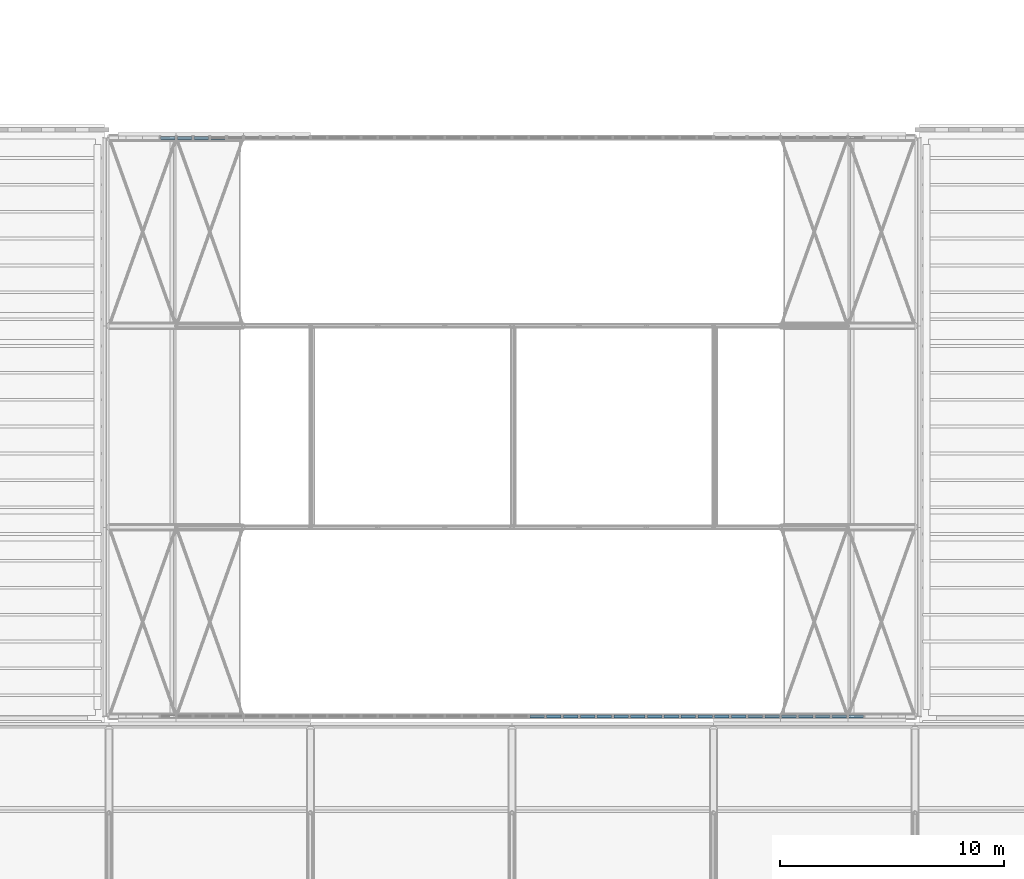
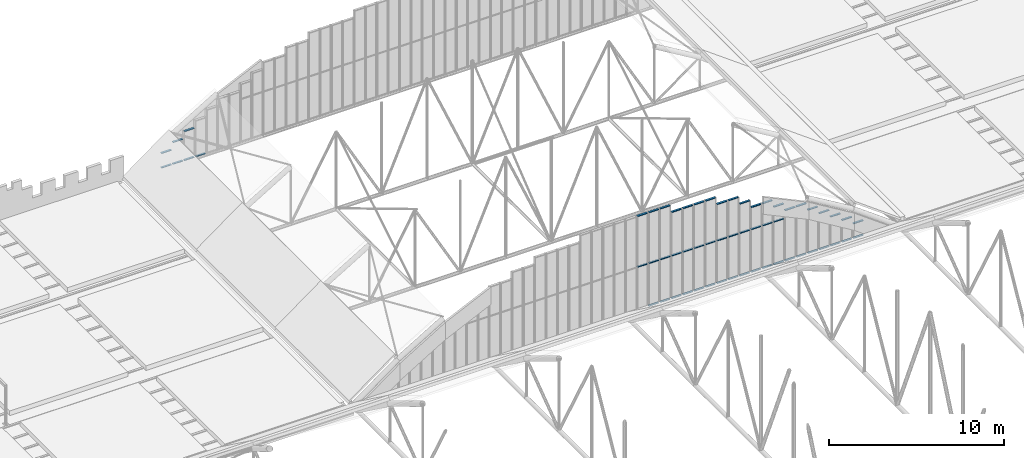
# One storey, part 89 of 153: 59 members, 24 elements without a shape of their own.
"""IFC4 building model written with IfcOpenShell, lengths in metres."""

from ifc_helpers import new_model, si_unit, direction, frame, origin, origin_2d, place, context, subcontext, project, spatial, rectangle, extrude, material, material_profile, profile_set, type_object, element, aggregate, save


model = new_model("IFC4")

# Units and contexts
model_context = context("Model", 3, precision=1e-05, world=origin(), true_north=direction((0.0, 1.0)))
body_context = subcontext(model_context, "Body", "Model", "MODEL_VIEW")
ifc_project = project(units=[si_unit("LENGTHUNIT", "METRE"), si_unit("AREAUNIT", "SQUARE_METRE"), si_unit("VOLUMEUNIT", "CUBIC_METRE"), si_unit("PLANEANGLEUNIT", "RADIAN"), si_unit("MASSUNIT", "GRAM", prefix="KILO")], contexts=[model_context])

# Site, building, storey
site_placement = place(None, origin())
site = spatial("IfcSite", under=ifc_project, at=site_placement, CompositionType="ELEMENT")
building_placement = place(site_placement, origin())
building = spatial("IfcBuilding", under=site, at=building_placement, Name="Baradari Gate Terminus", CompositionType="ELEMENT")
storey_placement = place(building_placement, frame((0.0, 0.0, 11.699951171875)))
storey = spatial("IfcBuildingStorey", under=building, at=storey_placement, Name="L02", CompositionType="ELEMENT", Elevation=11.699951171875)

# Curtain wall, members
ifc_material_1 = material(Name="Aluminium 6063-T6", Category="aluminium")
curtain_wall_type = type_object("IfcCurtainWallType", Name="Curtain wall CW-60 hall gable glazing", PredefinedType="NOTDEFINED", material=ifc_material_1)
curtain_wall_1_placement = place(storey_placement, origin())
curtain_wall_1 = element("IfcCurtainWall", 1, at=curtain_wall_1_placement, inside=storey, type_object=curtain_wall_type, Name="Hall gable glazing S26", PredefinedType="NOTDEFINED")
ifc_material_2 = material(Name="Aluminium 6063-T6", Category="aluminium")
ifc_material_profile = material_profile(ifc_material_2, rectangle(XDim=0.135009765625, YDim=0.050048828125, at=origin_2d()), Name="CT-60 50X135")
ifc_profile_set = profile_set([ifc_material_profile], Name="Aluminium 6063-T6")
member_type = type_object("IfcMemberType", Name="Curtain wall transom CT-60 50x135", PredefinedType="USERDEFINED", material=ifc_profile_set)
member_1_placement = place(storey_placement, frame((153.800048828125, 81.550048828125, 3.234619140625), z_axis=(1.0, 0.0, 0.0), x_axis=(0.0, 1.0, 0.0)))
member_1 = element("IfcMember", 2, at=member_1_placement, type_object=member_type, Name="CW-60 transom 1.2", ObjectType="TRANSOM", PredefinedType="USERDEFINED", context=body_context, shape_type="SweptSolid", body=[
    extrude(rectangle(XDim=0.135009765625, YDim=0.050048828125, at=origin_2d()), origin(), (0.0, 0.0, 1.0), 0.64990234375),
])
member_2_placement = place(storey_placement, frame((153.800048828125, 81.550048828125, 6.775146484375), z_axis=(1.0, 0.0, 0.0), x_axis=(0.0, 1.0, 0.0)))
member_2 = element("IfcMember", 3, at=member_2_placement, type_object=member_type, Name="CW-60 transom 1.3", ObjectType="TRANSOM", PredefinedType="USERDEFINED", context=body_context, shape_type="SweptSolid", body=[
    extrude(rectangle(XDim=0.135009765625, YDim=0.050048828125, at=origin_2d()), origin(), (0.0, 0.0, 1.0), 0.64990234375),
])
aggregate(curtain_wall_1, [member_1, member_2])

curtain_wall_2_placement = place(storey_placement, origin())
curtain_wall_2 = element("IfcCurtainWall", 4, at=curtain_wall_2_placement, inside=storey, type_object=curtain_wall_type, Name="Hall gable glazing S27", PredefinedType="NOTDEFINED")
member_3_placement = place(storey_placement, frame((154.550048828125, 81.550048828125, 0.259521484375), z_axis=(1.0, 0.0, 0.0), x_axis=(0.0, 1.0, 0.0)))
member_3 = element("IfcMember", 5, at=member_3_placement, type_object=member_type, Name="CW-60 transom 1.1", ObjectType="TRANSOM", PredefinedType="USERDEFINED", context=body_context, shape_type="SweptSolid", body=[
    extrude(rectangle(XDim=0.135009765625, YDim=0.050048828125, at=origin_2d()), origin(), (0.0, 0.0, 1.0), 0.64990234375),
])
member_4_placement = place(storey_placement, frame((154.550048828125, 81.550048828125, 3.234619140625), z_axis=(1.0, 0.0, 0.0), x_axis=(0.0, 1.0, 0.0)))
member_4 = element("IfcMember", 6, at=member_4_placement, type_object=member_type, Name="CW-60 transom 1.2", ObjectType="TRANSOM", PredefinedType="USERDEFINED", context=body_context, shape_type="SweptSolid", body=[
    extrude(rectangle(XDim=0.135009765625, YDim=0.050048828125, at=origin_2d()), origin(), (0.0, 0.0, 1.0), 0.64990234375),
])
member_5_placement = place(storey_placement, frame((154.550048828125, 81.550048828125, 6.775146484375), z_axis=(1.0, 0.0, 0.0), x_axis=(0.0, 1.0, 0.0)))
member_5 = element("IfcMember", 7, at=member_5_placement, type_object=member_type, Name="CW-60 transom 1.3", ObjectType="TRANSOM", PredefinedType="USERDEFINED", context=body_context, shape_type="SweptSolid", body=[
    extrude(rectangle(XDim=0.135009765625, YDim=0.050048828125, at=origin_2d()), origin(), (0.0, 0.0, 1.0), 0.64990234375),
])
aggregate(curtain_wall_2, [member_3, member_4, member_5])

curtain_wall_3_placement = place(storey_placement, origin())
curtain_wall_3 = element("IfcCurtainWall", 8, at=curtain_wall_3_placement, inside=storey, type_object=curtain_wall_type, Name="Hall gable glazing S28", PredefinedType="NOTDEFINED")
member_6_placement = place(storey_placement, frame((155.300048828125, 81.550048828125, 0.259521484375), z_axis=(1.0, 0.0, 0.0), x_axis=(0.0, 1.0, 0.0)))
member_6 = element("IfcMember", 9, at=member_6_placement, type_object=member_type, Name="CW-60 transom 1.1", ObjectType="TRANSOM", PredefinedType="USERDEFINED", context=body_context, shape_type="SweptSolid", body=[
    extrude(rectangle(XDim=0.135009765625, YDim=0.050048828125, at=origin_2d()), origin(), (0.0, 0.0, 1.0), 0.64990234375),
])
member_7_placement = place(storey_placement, frame((155.300048828125, 81.550048828125, 3.234619140625), z_axis=(1.0, 0.0, 0.0), x_axis=(0.0, 1.0, 0.0)))
member_7 = element("IfcMember", 10, at=member_7_placement, type_object=member_type, Name="CW-60 transom 1.2", ObjectType="TRANSOM", PredefinedType="USERDEFINED", context=body_context, shape_type="SweptSolid", body=[
    extrude(rectangle(XDim=0.135009765625, YDim=0.050048828125, at=origin_2d()), origin(), (0.0, 0.0, 1.0), 0.64990234375),
])
member_8_placement = place(storey_placement, frame((155.300048828125, 81.550048828125, 6.775146484375), z_axis=(1.0, 0.0, 0.0), x_axis=(0.0, 1.0, 0.0)))
member_8 = element("IfcMember", 11, at=member_8_placement, type_object=member_type, Name="CW-60 transom 1.3", ObjectType="TRANSOM", PredefinedType="USERDEFINED", context=body_context, shape_type="SweptSolid", body=[
    extrude(rectangle(XDim=0.135009765625, YDim=0.050048828125, at=origin_2d()), origin(), (0.0, 0.0, 1.0), 0.64990234375),
])
aggregate(curtain_wall_3, [member_6, member_7, member_8])

curtain_wall_4_placement = place(storey_placement, origin())
curtain_wall_4 = element("IfcCurtainWall", 12, at=curtain_wall_4_placement, inside=storey, type_object=curtain_wall_type, Name="Hall gable glazing S29", PredefinedType="NOTDEFINED")
member_9_placement = place(storey_placement, frame((156.050048828125, 81.550048828125, 0.259521484375), z_axis=(1.0, 0.0, 0.0), x_axis=(0.0, 1.0, 0.0)))
member_9 = element("IfcMember", 13, at=member_9_placement, type_object=member_type, Name="CW-60 transom 1.1", ObjectType="TRANSOM", PredefinedType="USERDEFINED", context=body_context, shape_type="SweptSolid", body=[
    extrude(rectangle(XDim=0.135009765625, YDim=0.050048828125, at=origin_2d()), origin(), (0.0, 0.0, 1.0), 0.64990234375),
])
member_10_placement = place(storey_placement, frame((156.050048828125, 81.550048828125, 3.234619140625), z_axis=(1.0, 0.0, 0.0), x_axis=(0.0, 1.0, 0.0)))
member_10 = element("IfcMember", 14, at=member_10_placement, type_object=member_type, Name="CW-60 transom 1.2", ObjectType="TRANSOM", PredefinedType="USERDEFINED", context=body_context, shape_type="SweptSolid", body=[
    extrude(rectangle(XDim=0.135009765625, YDim=0.050048828125, at=origin_2d()), origin(), (0.0, 0.0, 1.0), 0.64990234375),
])
member_11_placement = place(storey_placement, frame((156.050048828125, 81.550048828125, 6.275146484375), z_axis=(1.0, 0.0, 0.0), x_axis=(0.0, 1.0, 0.0)))
member_11 = element("IfcMember", 15, at=member_11_placement, type_object=member_type, Name="CW-60 transom 1.3", ObjectType="TRANSOM", PredefinedType="USERDEFINED", context=body_context, shape_type="SweptSolid", body=[
    extrude(rectangle(XDim=0.135009765625, YDim=0.050048828125, at=origin_2d()), origin(), (0.0, 0.0, 1.0), 0.64990234375),
])
aggregate(curtain_wall_4, [member_9, member_10, member_11])

curtain_wall_5_placement = place(storey_placement, origin())
curtain_wall_5 = element("IfcCurtainWall", 16, at=curtain_wall_5_placement, inside=storey, type_object=curtain_wall_type, Name="Hall gable glazing S30", PredefinedType="NOTDEFINED")
member_12_placement = place(storey_placement, frame((156.800048828125, 81.550048828125, 0.259521484375), z_axis=(1.0, 0.0, 0.0), x_axis=(0.0, 1.0, 0.0)))
member_12 = element("IfcMember", 17, at=member_12_placement, type_object=member_type, Name="CW-60 transom 1.1", ObjectType="TRANSOM", PredefinedType="USERDEFINED", context=body_context, shape_type="SweptSolid", body=[
    extrude(rectangle(XDim=0.135009765625, YDim=0.050048828125, at=origin_2d()), origin(), (0.0, 0.0, 1.0), 0.64990234375),
])
member_13_placement = place(storey_placement, frame((156.800048828125, 81.550048828125, 3.234619140625), z_axis=(1.0, 0.0, 0.0), x_axis=(0.0, 1.0, 0.0)))
member_13 = element("IfcMember", 18, at=member_13_placement, type_object=member_type, Name="CW-60 transom 1.2", ObjectType="TRANSOM", PredefinedType="USERDEFINED", context=body_context, shape_type="SweptSolid", body=[
    extrude(rectangle(XDim=0.135009765625, YDim=0.050048828125, at=origin_2d()), origin(), (0.0, 0.0, 1.0), 0.64990234375),
])
member_14_placement = place(storey_placement, frame((156.800048828125, 81.550048828125, 6.275146484375), z_axis=(1.0, 0.0, 0.0), x_axis=(0.0, 1.0, 0.0)))
member_14 = element("IfcMember", 19, at=member_14_placement, type_object=member_type, Name="CW-60 transom 1.3", ObjectType="TRANSOM", PredefinedType="USERDEFINED", context=body_context, shape_type="SweptSolid", body=[
    extrude(rectangle(XDim=0.135009765625, YDim=0.050048828125, at=origin_2d()), origin(), (0.0, 0.0, 1.0), 0.64990234375),
])
aggregate(curtain_wall_5, [member_12, member_13, member_14])

curtain_wall_6_placement = place(storey_placement, origin())
curtain_wall_6 = element("IfcCurtainWall", 20, at=curtain_wall_6_placement, inside=storey, type_object=curtain_wall_type, Name="Hall gable glazing S31", PredefinedType="NOTDEFINED")
member_15_placement = place(storey_placement, frame((157.550048828125, 81.550048828125, 0.259521484375), z_axis=(1.0, 0.0, 0.0), x_axis=(0.0, 1.0, 0.0)))
member_15 = element("IfcMember", 21, at=member_15_placement, type_object=member_type, Name="CW-60 transom 1.1", ObjectType="TRANSOM", PredefinedType="USERDEFINED", context=body_context, shape_type="SweptSolid", body=[
    extrude(rectangle(XDim=0.135009765625, YDim=0.050048828125, at=origin_2d()), origin(), (0.0, 0.0, 1.0), 0.64990234375),
])
member_16_placement = place(storey_placement, frame((157.550048828125, 81.550048828125, 3.234619140625), z_axis=(1.0, 0.0, 0.0), x_axis=(0.0, 1.0, 0.0)))
member_16 = element("IfcMember", 22, at=member_16_placement, type_object=member_type, Name="CW-60 transom 1.2", ObjectType="TRANSOM", PredefinedType="USERDEFINED", context=body_context, shape_type="SweptSolid", body=[
    extrude(rectangle(XDim=0.135009765625, YDim=0.050048828125, at=origin_2d()), origin(), (0.0, 0.0, 1.0), 0.64990234375),
])
member_17_placement = place(storey_placement, frame((157.550048828125, 81.550048828125, 6.275146484375), z_axis=(1.0, 0.0, 0.0), x_axis=(0.0, 1.0, 0.0)))
member_17 = element("IfcMember", 23, at=member_17_placement, type_object=member_type, Name="CW-60 transom 1.3", ObjectType="TRANSOM", PredefinedType="USERDEFINED", context=body_context, shape_type="SweptSolid", body=[
    extrude(rectangle(XDim=0.135009765625, YDim=0.050048828125, at=origin_2d()), origin(), (0.0, 0.0, 1.0), 0.64990234375),
])
aggregate(curtain_wall_6, [member_15, member_16, member_17])

curtain_wall_7_placement = place(storey_placement, origin())
curtain_wall_7 = element("IfcCurtainWall", 24, at=curtain_wall_7_placement, inside=storey, type_object=curtain_wall_type, Name="Hall gable glazing S32", PredefinedType="NOTDEFINED")
member_18_placement = place(storey_placement, frame((158.300048828125, 81.550048828125, 0.259521484375), z_axis=(1.0, 0.0, 0.0), x_axis=(0.0, 1.0, 0.0)))
member_18 = element("IfcMember", 25, at=member_18_placement, type_object=member_type, Name="CW-60 transom 1.1", ObjectType="TRANSOM", PredefinedType="USERDEFINED", context=body_context, shape_type="SweptSolid", body=[
    extrude(rectangle(XDim=0.135009765625, YDim=0.050048828125, at=origin_2d()), origin(), (0.0, 0.0, 1.0), 0.64990234375),
])
member_19_placement = place(storey_placement, frame((158.300048828125, 81.550048828125, 3.234619140625), z_axis=(1.0, 0.0, 0.0), x_axis=(0.0, 1.0, 0.0)))
member_19 = element("IfcMember", 26, at=member_19_placement, type_object=member_type, Name="CW-60 transom 1.2", ObjectType="TRANSOM", PredefinedType="USERDEFINED", context=body_context, shape_type="SweptSolid", body=[
    extrude(rectangle(XDim=0.135009765625, YDim=0.050048828125, at=origin_2d()), origin(), (0.0, 0.0, 1.0), 0.64990234375),
])
member_20_placement = place(storey_placement, frame((158.300048828125, 81.550048828125, 6.275146484375), z_axis=(1.0, 0.0, 0.0), x_axis=(0.0, 1.0, 0.0)))
member_20 = element("IfcMember", 27, at=member_20_placement, type_object=member_type, Name="CW-60 transom 1.3", ObjectType="TRANSOM", PredefinedType="USERDEFINED", context=body_context, shape_type="SweptSolid", body=[
    extrude(rectangle(XDim=0.135009765625, YDim=0.050048828125, at=origin_2d()), origin(), (0.0, 0.0, 1.0), 0.64990234375),
])
aggregate(curtain_wall_7, [member_18, member_19, member_20])

curtain_wall_8_placement = place(storey_placement, origin())
curtain_wall_8 = element("IfcCurtainWall", 28, at=curtain_wall_8_placement, inside=storey, type_object=curtain_wall_type, Name="Hall gable glazing S33", PredefinedType="NOTDEFINED")
member_21_placement = place(storey_placement, frame((159.050048828125, 81.550048828125, 0.259521484375), z_axis=(1.0, 0.0, 0.0), x_axis=(0.0, 1.0, 0.0)))
member_21 = element("IfcMember", 29, at=member_21_placement, type_object=member_type, Name="CW-60 transom 1.1", ObjectType="TRANSOM", PredefinedType="USERDEFINED", context=body_context, shape_type="SweptSolid", body=[
    extrude(rectangle(XDim=0.135009765625, YDim=0.050048828125, at=origin_2d()), origin(), (0.0, 0.0, 1.0), 0.64990234375),
])
member_22_placement = place(storey_placement, frame((159.050048828125, 81.550048828125, 3.234619140625), z_axis=(1.0, 0.0, 0.0), x_axis=(0.0, 1.0, 0.0)))
member_22 = element("IfcMember", 30, at=member_22_placement, type_object=member_type, Name="CW-60 transom 1.2", ObjectType="TRANSOM", PredefinedType="USERDEFINED", context=body_context, shape_type="SweptSolid", body=[
    extrude(rectangle(XDim=0.135009765625, YDim=0.050048828125, at=origin_2d()), origin(), (0.0, 0.0, 1.0), 0.64990234375),
])
member_23_placement = place(storey_placement, frame((159.050048828125, 81.550048828125, 5.775146484375), z_axis=(1.0, 0.0, 0.0), x_axis=(0.0, 1.0, 0.0)))
member_23 = element("IfcMember", 31, at=member_23_placement, type_object=member_type, Name="CW-60 transom 1.3", ObjectType="TRANSOM", PredefinedType="USERDEFINED", context=body_context, shape_type="SweptSolid", body=[
    extrude(rectangle(XDim=0.135009765625, YDim=0.050048828125, at=origin_2d()), origin(), (0.0, 0.0, 1.0), 0.64990234375),
])
aggregate(curtain_wall_8, [member_21, member_22, member_23])

curtain_wall_9_placement = place(storey_placement, origin())
curtain_wall_9 = element("IfcCurtainWall", 32, at=curtain_wall_9_placement, inside=storey, type_object=curtain_wall_type, Name="Hall gable glazing S34", PredefinedType="NOTDEFINED")
member_24_placement = place(storey_placement, frame((159.800048828125, 81.550048828125, 0.259521484375), z_axis=(1.0, 0.0, 0.0), x_axis=(0.0, 1.0, 0.0)))
member_24 = element("IfcMember", 33, at=member_24_placement, type_object=member_type, Name="CW-60 transom 1.1", ObjectType="TRANSOM", PredefinedType="USERDEFINED", context=body_context, shape_type="SweptSolid", body=[
    extrude(rectangle(XDim=0.135009765625, YDim=0.050048828125, at=origin_2d()), origin(), (0.0, 0.0, 1.0), 0.64990234375),
])
member_25_placement = place(storey_placement, frame((159.800048828125, 81.550048828125, 3.234619140625), z_axis=(1.0, 0.0, 0.0), x_axis=(0.0, 1.0, 0.0)))
member_25 = element("IfcMember", 34, at=member_25_placement, type_object=member_type, Name="CW-60 transom 1.2", ObjectType="TRANSOM", PredefinedType="USERDEFINED", context=body_context, shape_type="SweptSolid", body=[
    extrude(rectangle(XDim=0.135009765625, YDim=0.050048828125, at=origin_2d()), origin(), (0.0, 0.0, 1.0), 0.64990234375),
])
member_26_placement = place(storey_placement, frame((159.800048828125, 81.550048828125, 5.775146484375), z_axis=(1.0, 0.0, 0.0), x_axis=(0.0, 1.0, 0.0)))
member_26 = element("IfcMember", 35, at=member_26_placement, type_object=member_type, Name="CW-60 transom 1.3", ObjectType="TRANSOM", PredefinedType="USERDEFINED", context=body_context, shape_type="SweptSolid", body=[
    extrude(rectangle(XDim=0.135009765625, YDim=0.050048828125, at=origin_2d()), origin(), (0.0, 0.0, 1.0), 0.64990234375),
])
aggregate(curtain_wall_9, [member_24, member_25, member_26])

curtain_wall_10_placement = place(storey_placement, origin())
curtain_wall_10 = element("IfcCurtainWall", 36, at=curtain_wall_10_placement, inside=storey, type_object=curtain_wall_type, Name="Hall gable glazing S35", PredefinedType="NOTDEFINED")
member_27_placement = place(storey_placement, frame((160.550048828125, 81.550048828125, 0.259521484375), z_axis=(1.0, 0.0, 0.0), x_axis=(0.0, 1.0, 0.0)))
member_27 = element("IfcMember", 37, at=member_27_placement, type_object=member_type, Name="CW-60 transom 1.1", ObjectType="TRANSOM", PredefinedType="USERDEFINED", context=body_context, shape_type="SweptSolid", body=[
    extrude(rectangle(XDim=0.135009765625, YDim=0.050048828125, at=origin_2d()), origin(), (0.0, 0.0, 1.0), 0.64990234375),
])
member_28_placement = place(storey_placement, frame((160.550048828125, 81.550048828125, 3.234619140625), z_axis=(1.0, 0.0, 0.0), x_axis=(0.0, 1.0, 0.0)))
member_28 = element("IfcMember", 38, at=member_28_placement, type_object=member_type, Name="CW-60 transom 1.2", ObjectType="TRANSOM", PredefinedType="USERDEFINED", context=body_context, shape_type="SweptSolid", body=[
    extrude(rectangle(XDim=0.135009765625, YDim=0.050048828125, at=origin_2d()), origin(), (0.0, 0.0, 1.0), 0.64990234375),
])
member_29_placement = place(storey_placement, frame((160.550048828125, 81.550048828125, 5.275146484375), z_axis=(1.0, 0.0, 0.0), x_axis=(0.0, 1.0, 0.0)))
member_29 = element("IfcMember", 39, at=member_29_placement, type_object=member_type, Name="CW-60 transom 1.3", ObjectType="TRANSOM", PredefinedType="USERDEFINED", context=body_context, shape_type="SweptSolid", body=[
    extrude(rectangle(XDim=0.135009765625, YDim=0.050048828125, at=origin_2d()), origin(), (0.0, 0.0, 1.0), 0.64990234375),
])
aggregate(curtain_wall_10, [member_27, member_28, member_29])

curtain_wall_11_placement = place(storey_placement, origin())
curtain_wall_11 = element("IfcCurtainWall", 40, at=curtain_wall_11_placement, inside=storey, type_object=curtain_wall_type, Name="Hall gable glazing S36", PredefinedType="NOTDEFINED")
member_30_placement = place(storey_placement, frame((161.300048828125, 81.550048828125, 0.259521484375), z_axis=(1.0, 0.0, 0.0), x_axis=(0.0, 1.0, 0.0)))
member_30 = element("IfcMember", 41, at=member_30_placement, type_object=member_type, Name="CW-60 transom 1.1", ObjectType="TRANSOM", PredefinedType="USERDEFINED", context=body_context, shape_type="SweptSolid", body=[
    extrude(rectangle(XDim=0.135009765625, YDim=0.050048828125, at=origin_2d()), origin(), (0.0, 0.0, 1.0), 0.64990234375),
])
member_31_placement = place(storey_placement, frame((161.300048828125, 81.550048828125, 3.234619140625), z_axis=(1.0, 0.0, 0.0), x_axis=(0.0, 1.0, 0.0)))
member_31 = element("IfcMember", 42, at=member_31_placement, type_object=member_type, Name="CW-60 transom 1.2", ObjectType="TRANSOM", PredefinedType="USERDEFINED", context=body_context, shape_type="SweptSolid", body=[
    extrude(rectangle(XDim=0.135009765625, YDim=0.050048828125, at=origin_2d()), origin(), (0.0, 0.0, 1.0), 0.64990234375),
])
member_32_placement = place(storey_placement, frame((161.300048828125, 81.550048828125, 4.775146484375), z_axis=(1.0, 0.0, 0.0), x_axis=(0.0, 1.0, 0.0)))
member_32 = element("IfcMember", 43, at=member_32_placement, type_object=member_type, Name="CW-60 transom 1.3", ObjectType="TRANSOM", PredefinedType="USERDEFINED", context=body_context, shape_type="SweptSolid", body=[
    extrude(rectangle(XDim=0.135009765625, YDim=0.050048828125, at=origin_2d()), origin(), (0.0, 0.0, 1.0), 0.64990234375),
])
aggregate(curtain_wall_11, [member_30, member_31, member_32])

curtain_wall_12_placement = place(storey_placement, origin())
curtain_wall_12 = element("IfcCurtainWall", 44, at=curtain_wall_12_placement, inside=storey, type_object=curtain_wall_type, Name="Hall gable glazing S37", PredefinedType="NOTDEFINED")
member_33_placement = place(storey_placement, frame((162.050048828125, 81.550048828125, 0.259521484375), z_axis=(1.0, 0.0, 0.0), x_axis=(0.0, 1.0, 0.0)))
member_33 = element("IfcMember", 45, at=member_33_placement, type_object=member_type, Name="CW-60 transom 1.1", ObjectType="TRANSOM", PredefinedType="USERDEFINED", context=body_context, shape_type="SweptSolid", body=[
    extrude(rectangle(XDim=0.135009765625, YDim=0.050048828125, at=origin_2d()), origin(), (0.0, 0.0, 1.0), 0.64990234375),
])
member_34_placement = place(storey_placement, frame((162.050048828125, 81.550048828125, 3.234619140625), z_axis=(1.0, 0.0, 0.0), x_axis=(0.0, 1.0, 0.0)))
member_34 = element("IfcMember", 46, at=member_34_placement, type_object=member_type, Name="CW-60 transom 1.2", ObjectType="TRANSOM", PredefinedType="USERDEFINED", context=body_context, shape_type="SweptSolid", body=[
    extrude(rectangle(XDim=0.135009765625, YDim=0.050048828125, at=origin_2d()), origin(), (0.0, 0.0, 1.0), 0.64990234375),
])
member_35_placement = place(storey_placement, frame((162.050048828125, 81.550048828125, 4.775146484375), z_axis=(1.0, 0.0, 0.0), x_axis=(0.0, 1.0, 0.0)))
member_35 = element("IfcMember", 47, at=member_35_placement, type_object=member_type, Name="CW-60 transom 1.3", ObjectType="TRANSOM", PredefinedType="USERDEFINED", context=body_context, shape_type="SweptSolid", body=[
    extrude(rectangle(XDim=0.135009765625, YDim=0.050048828125, at=origin_2d()), origin(), (0.0, 0.0, 1.0), 0.64990234375),
])
aggregate(curtain_wall_12, [member_33, member_34, member_35])

curtain_wall_13_placement = place(storey_placement, origin())
curtain_wall_13 = element("IfcCurtainWall", 48, at=curtain_wall_13_placement, inside=storey, type_object=curtain_wall_type, Name="Hall gable glazing S38", PredefinedType="NOTDEFINED")
member_36_placement = place(storey_placement, frame((162.800048828125, 81.550048828125, 0.259521484375), z_axis=(1.0, 0.0, 0.0), x_axis=(0.0, 1.0, 0.0)))
member_36 = element("IfcMember", 49, at=member_36_placement, type_object=member_type, Name="CW-60 transom 1.1", ObjectType="TRANSOM", PredefinedType="USERDEFINED", context=body_context, shape_type="SweptSolid", body=[
    extrude(rectangle(XDim=0.135009765625, YDim=0.050048828125, at=origin_2d()), origin(), (0.0, 0.0, 1.0), 0.64990234375),
])
member_37_placement = place(storey_placement, frame((162.800048828125, 81.550048828125, 3.234619140625), z_axis=(1.0, 0.0, 0.0), x_axis=(0.0, 1.0, 0.0)))
member_37 = element("IfcMember", 50, at=member_37_placement, type_object=member_type, Name="CW-60 transom 1.2", ObjectType="TRANSOM", PredefinedType="USERDEFINED", context=body_context, shape_type="SweptSolid", body=[
    extrude(rectangle(XDim=0.135009765625, YDim=0.050048828125, at=origin_2d()), origin(), (0.0, 0.0, 1.0), 0.64990234375),
])
member_38_placement = place(storey_placement, frame((162.800048828125, 81.550048828125, 4.275146484375), z_axis=(1.0, 0.0, 0.0), x_axis=(0.0, 1.0, 0.0)))
member_38 = element("IfcMember", 51, at=member_38_placement, type_object=member_type, Name="CW-60 transom 1.3", ObjectType="TRANSOM", PredefinedType="USERDEFINED", context=body_context, shape_type="SweptSolid", body=[
    extrude(rectangle(XDim=0.135009765625, YDim=0.050048828125, at=origin_2d()), origin(), (0.0, 0.0, 1.0), 0.64990234375),
])
aggregate(curtain_wall_13, [member_36, member_37, member_38])

curtain_wall_14_placement = place(storey_placement, origin())
curtain_wall_14 = element("IfcCurtainWall", 52, at=curtain_wall_14_placement, inside=storey, type_object=curtain_wall_type, Name="Hall gable glazing S39", PredefinedType="NOTDEFINED")
member_39_placement = place(storey_placement, frame((163.550048828125, 81.550048828125, 0.259521484375), z_axis=(1.0, 0.0, 0.0), x_axis=(0.0, 1.0, 0.0)))
member_39 = element("IfcMember", 53, at=member_39_placement, type_object=member_type, Name="CW-60 transom 1.1", ObjectType="TRANSOM", PredefinedType="USERDEFINED", context=body_context, shape_type="SweptSolid", body=[
    extrude(rectangle(XDim=0.135009765625, YDim=0.050048828125, at=origin_2d()), origin(), (0.0, 0.0, 1.0), 0.64990234375),
])
member_40_placement = place(storey_placement, frame((163.550048828125, 81.550048828125, 3.775146484375), z_axis=(1.0, 0.0, 0.0), x_axis=(0.0, 1.0, 0.0)))
member_40 = element("IfcMember", 54, at=member_40_placement, type_object=member_type, Name="CW-60 transom 1.2", ObjectType="TRANSOM", PredefinedType="USERDEFINED", context=body_context, shape_type="SweptSolid", body=[
    extrude(rectangle(XDim=0.135009765625, YDim=0.050048828125, at=origin_2d()), origin(), (0.0, 0.0, 1.0), 0.64990234375),
])
aggregate(curtain_wall_14, [member_39, member_40])

curtain_wall_15_placement = place(storey_placement, origin())
curtain_wall_15 = element("IfcCurtainWall", 55, at=curtain_wall_15_placement, inside=storey, type_object=curtain_wall_type, Name="Hall gable glazing S40", PredefinedType="NOTDEFINED")
member_41_placement = place(storey_placement, frame((164.300048828125, 81.550048828125, 0.259521484375), z_axis=(1.0, 0.0, 0.0), x_axis=(0.0, 1.0, 0.0)))
member_41 = element("IfcMember", 56, at=member_41_placement, type_object=member_type, Name="CW-60 transom 1.1", ObjectType="TRANSOM", PredefinedType="USERDEFINED", context=body_context, shape_type="SweptSolid", body=[
    extrude(rectangle(XDim=0.135009765625, YDim=0.050048828125, at=origin_2d()), origin(), (0.0, 0.0, 1.0), 0.64990234375),
])
member_42_placement = place(storey_placement, frame((164.300048828125, 81.550048828125, 3.775146484375), z_axis=(1.0, 0.0, 0.0), x_axis=(0.0, 1.0, 0.0)))
member_42 = element("IfcMember", 57, at=member_42_placement, type_object=member_type, Name="CW-60 transom 1.2", ObjectType="TRANSOM", PredefinedType="USERDEFINED", context=body_context, shape_type="SweptSolid", body=[
    extrude(rectangle(XDim=0.135009765625, YDim=0.050048828125, at=origin_2d()), origin(), (0.0, 0.0, 1.0), 0.64990234375),
])
aggregate(curtain_wall_15, [member_41, member_42])

curtain_wall_16_placement = place(storey_placement, origin())
curtain_wall_16 = element("IfcCurtainWall", 58, at=curtain_wall_16_placement, inside=storey, type_object=curtain_wall_type, Name="Hall gable glazing S41", PredefinedType="NOTDEFINED")
member_43_placement = place(storey_placement, frame((165.050048828125, 81.550048828125, 0.259521484375), z_axis=(1.0, 0.0, 0.0), x_axis=(0.0, 1.0, 0.0)))
member_43 = element("IfcMember", 59, at=member_43_placement, type_object=member_type, Name="CW-60 transom 1.1", ObjectType="TRANSOM", PredefinedType="USERDEFINED", context=body_context, shape_type="SweptSolid", body=[
    extrude(rectangle(XDim=0.135009765625, YDim=0.050048828125, at=origin_2d()), origin(), (0.0, 0.0, 1.0), 0.64990234375),
])
member_44_placement = place(storey_placement, frame((165.050048828125, 81.550048828125, 3.275146484375), z_axis=(1.0, 0.0, 0.0), x_axis=(0.0, 1.0, 0.0)))
member_44 = element("IfcMember", 60, at=member_44_placement, type_object=member_type, Name="CW-60 transom 1.2", ObjectType="TRANSOM", PredefinedType="USERDEFINED", context=body_context, shape_type="SweptSolid", body=[
    extrude(rectangle(XDim=0.135009765625, YDim=0.050048828125, at=origin_2d()), origin(), (0.0, 0.0, 1.0), 0.64990234375),
])
aggregate(curtain_wall_16, [member_43, member_44])

curtain_wall_17_placement = place(storey_placement, origin())
curtain_wall_17 = element("IfcCurtainWall", 61, at=curtain_wall_17_placement, inside=storey, type_object=curtain_wall_type, Name="Hall gable glazing S42", PredefinedType="NOTDEFINED")
member_45_placement = place(storey_placement, frame((165.800048828125, 81.550048828125, 0.259521484375), z_axis=(1.0, 0.0, 0.0), x_axis=(0.0, 1.0, 0.0)))
member_45 = element("IfcMember", 62, at=member_45_placement, type_object=member_type, Name="CW-60 transom 1.1", ObjectType="TRANSOM", PredefinedType="USERDEFINED", context=body_context, shape_type="SweptSolid", body=[
    extrude(rectangle(XDim=0.135009765625, YDim=0.050048828125, at=origin_2d()), origin(), (0.0, 0.0, 1.0), 0.64990234375),
])
member_46_placement = place(storey_placement, frame((165.800048828125, 81.550048828125, 2.775146484375), z_axis=(1.0, 0.0, 0.0), x_axis=(0.0, 1.0, 0.0)))
member_46 = element("IfcMember", 63, at=member_46_placement, type_object=member_type, Name="CW-60 transom 1.2", ObjectType="TRANSOM", PredefinedType="USERDEFINED", context=body_context, shape_type="SweptSolid", body=[
    extrude(rectangle(XDim=0.135009765625, YDim=0.050048828125, at=origin_2d()), origin(), (0.0, 0.0, 1.0), 0.64990234375),
])
aggregate(curtain_wall_17, [member_45, member_46])

curtain_wall_18_placement = place(storey_placement, origin())
curtain_wall_18 = element("IfcCurtainWall", 64, at=curtain_wall_18_placement, inside=storey, type_object=curtain_wall_type, Name="Hall gable glazing S43", PredefinedType="NOTDEFINED")
member_47_placement = place(storey_placement, frame((166.550048828125, 81.550048828125, 0.259521484375), z_axis=(1.0, 0.0, 0.0), x_axis=(0.0, 1.0, 0.0)))
member_47 = element("IfcMember", 65, at=member_47_placement, type_object=member_type, Name="CW-60 transom 1.1", ObjectType="TRANSOM", PredefinedType="USERDEFINED", context=body_context, shape_type="SweptSolid", body=[
    extrude(rectangle(XDim=0.135009765625, YDim=0.050048828125, at=origin_2d()), origin(), (0.0, 0.0, 1.0), 0.64990234375),
])
member_48_placement = place(storey_placement, frame((166.550048828125, 81.550048828125, 2.275146484375), z_axis=(1.0, 0.0, 0.0), x_axis=(0.0, 1.0, 0.0)))
member_48 = element("IfcMember", 66, at=member_48_placement, type_object=member_type, Name="CW-60 transom 1.2", ObjectType="TRANSOM", PredefinedType="USERDEFINED", context=body_context, shape_type="SweptSolid", body=[
    extrude(rectangle(XDim=0.135009765625, YDim=0.050048828125, at=origin_2d()), origin(), (0.0, 0.0, 1.0), 0.64990234375),
])
aggregate(curtain_wall_18, [member_47, member_48])

curtain_wall_19_placement = place(storey_placement, origin())
curtain_wall_19 = element("IfcCurtainWall", 67, at=curtain_wall_19_placement, inside=storey, type_object=curtain_wall_type, Name="Hall gable glazing S44", PredefinedType="NOTDEFINED")
member_49_placement = place(storey_placement, frame((167.300048828125, 81.550048828125, 0.259521484375), z_axis=(1.0, 0.0, 0.0), x_axis=(0.0, 1.0, 0.0)))
member_49 = element("IfcMember", 68, at=member_49_placement, type_object=member_type, Name="CW-60 transom 1.1", ObjectType="TRANSOM", PredefinedType="USERDEFINED", context=body_context, shape_type="SweptSolid", body=[
    extrude(rectangle(XDim=0.135009765625, YDim=0.050048828125, at=origin_2d()), origin(), (0.0, 0.0, 1.0), 0.64990234375),
])
member_50_placement = place(storey_placement, frame((167.300048828125, 81.550048828125, 1.775146484375), z_axis=(1.0, 0.0, 0.0), x_axis=(0.0, 1.0, 0.0)))
member_50 = element("IfcMember", 69, at=member_50_placement, type_object=member_type, Name="CW-60 transom 1.2", ObjectType="TRANSOM", PredefinedType="USERDEFINED", context=body_context, shape_type="SweptSolid", body=[
    extrude(rectangle(XDim=0.135009765625, YDim=0.050048828125, at=origin_2d()), origin(), (0.0, 0.0, 1.0), 0.64990234375),
])
aggregate(curtain_wall_19, [member_49, member_50])

curtain_wall_20_placement = place(storey_placement, origin())
curtain_wall_20 = element("IfcCurtainWall", 70, at=curtain_wall_20_placement, inside=storey, type_object=curtain_wall_type, Name="Hall gable glazing S45", PredefinedType="NOTDEFINED")
member_51_placement = place(storey_placement, frame((168.050048828125, 81.550048828125, 0.259521484375), z_axis=(1.0, 0.0, 0.0), x_axis=(0.0, 1.0, 0.0)))
member_51 = element("IfcMember", 71, at=member_51_placement, type_object=member_type, Name="CW-60 transom 1.1", ObjectType="TRANSOM", PredefinedType="USERDEFINED", context=body_context, shape_type="SweptSolid", body=[
    extrude(rectangle(XDim=0.135009765625, YDim=0.050048828125, at=origin_2d()), origin(), (0.0, 0.0, 1.0), 0.64990234375),
])
member_52_placement = place(storey_placement, frame((168.050048828125, 81.550048828125, 1.275146484375), z_axis=(1.0, 0.0, 0.0), x_axis=(0.0, 1.0, 0.0)))
member_52 = element("IfcMember", 72, at=member_52_placement, type_object=member_type, Name="CW-60 transom 1.2", ObjectType="TRANSOM", PredefinedType="USERDEFINED", context=body_context, shape_type="SweptSolid", body=[
    extrude(rectangle(XDim=0.135009765625, YDim=0.050048828125, at=origin_2d()), origin(), (0.0, 0.0, 1.0), 0.64990234375),
])
aggregate(curtain_wall_20, [member_51, member_52])

curtain_wall_21_placement = place(storey_placement, origin())
curtain_wall_21 = element("IfcCurtainWall", 73, at=curtain_wall_21_placement, inside=storey, type_object=curtain_wall_type, Name="Hall gable glazing N4", PredefinedType="NOTDEFINED")
member_53_placement = place(storey_placement, frame((137.300048828125, 107.39990234375, 0.259521484375), z_axis=(1.0, 0.0, 0.0), x_axis=(0.0, 1.0, 0.0)))
member_53 = element("IfcMember", 74, at=member_53_placement, type_object=member_type, Name="CW-60 transom 1.1", ObjectType="TRANSOM", PredefinedType="USERDEFINED", context=body_context, shape_type="SweptSolid", body=[
    extrude(rectangle(XDim=0.135009765625, YDim=0.050048828125, at=origin_2d()), origin(), (0.0, 0.0, 1.0), 0.64990234375),
])
member_54_placement = place(storey_placement, frame((137.300048828125, 107.39990234375, 1.275146484375), z_axis=(1.0, 0.0, 0.0), x_axis=(0.0, 1.0, 0.0)))
member_54 = element("IfcMember", 75, at=member_54_placement, type_object=member_type, Name="CW-60 transom 1.2", ObjectType="TRANSOM", PredefinedType="USERDEFINED", context=body_context, shape_type="SweptSolid", body=[
    extrude(rectangle(XDim=0.135009765625, YDim=0.050048828125, at=origin_2d()), origin(), (0.0, 0.0, 1.0), 0.64990234375),
])
aggregate(curtain_wall_21, [member_53, member_54])

curtain_wall_22_placement = place(storey_placement, origin())
curtain_wall_22 = element("IfcCurtainWall", 76, at=curtain_wall_22_placement, inside=storey, type_object=curtain_wall_type, Name="Hall gable glazing N5", PredefinedType="NOTDEFINED")
member_55_placement = place(storey_placement, frame((138.050048828125, 107.39990234375, 0.259521484375), z_axis=(1.0, 0.0, 0.0), x_axis=(0.0, 1.0, 0.0)))
member_55 = element("IfcMember", 77, at=member_55_placement, type_object=member_type, Name="CW-60 transom 1.1", ObjectType="TRANSOM", PredefinedType="USERDEFINED", context=body_context, shape_type="SweptSolid", body=[
    extrude(rectangle(XDim=0.135009765625, YDim=0.050048828125, at=origin_2d()), origin(), (0.0, 0.0, 1.0), 0.64990234375),
])
member_56_placement = place(storey_placement, frame((138.050048828125, 107.39990234375, 1.775146484375), z_axis=(1.0, 0.0, 0.0), x_axis=(0.0, 1.0, 0.0)))
member_56 = element("IfcMember", 78, at=member_56_placement, type_object=member_type, Name="CW-60 transom 1.2", ObjectType="TRANSOM", PredefinedType="USERDEFINED", context=body_context, shape_type="SweptSolid", body=[
    extrude(rectangle(XDim=0.135009765625, YDim=0.050048828125, at=origin_2d()), origin(), (0.0, 0.0, 1.0), 0.64990234375),
])
aggregate(curtain_wall_22, [member_55, member_56])

curtain_wall_23_placement = place(storey_placement, origin())
curtain_wall_23 = element("IfcCurtainWall", 79, at=curtain_wall_23_placement, inside=storey, type_object=curtain_wall_type, Name="Hall gable glazing N6", PredefinedType="NOTDEFINED")
member_57_placement = place(storey_placement, frame((138.800048828125, 107.39990234375, 0.259521484375), z_axis=(1.0, 0.0, 0.0), x_axis=(0.0, 1.0, 0.0)))
member_57 = element("IfcMember", 80, at=member_57_placement, type_object=member_type, Name="CW-60 transom 1.1", ObjectType="TRANSOM", PredefinedType="USERDEFINED", context=body_context, shape_type="SweptSolid", body=[
    extrude(rectangle(XDim=0.135009765625, YDim=0.050048828125, at=origin_2d()), origin(), (0.0, 0.0, 1.0), 0.64990234375),
])
member_58_placement = place(storey_placement, frame((138.800048828125, 107.39990234375, 2.275146484375), z_axis=(1.0, 0.0, 0.0), x_axis=(0.0, 1.0, 0.0)))
member_58 = element("IfcMember", 81, at=member_58_placement, type_object=member_type, Name="CW-60 transom 1.2", ObjectType="TRANSOM", PredefinedType="USERDEFINED", context=body_context, shape_type="SweptSolid", body=[
    extrude(rectangle(XDim=0.135009765625, YDim=0.050048828125, at=origin_2d()), origin(), (0.0, 0.0, 1.0), 0.64990234375),
])
aggregate(curtain_wall_23, [member_57, member_58])

# Curtain wall, member
curtain_wall_24_placement = place(storey_placement, origin())
curtain_wall_24 = element("IfcCurtainWall", 82, at=curtain_wall_24_placement, inside=storey, type_object=curtain_wall_type, Name="Hall gable glazing N7", PredefinedType="NOTDEFINED")
member_59_placement = place(storey_placement, frame((139.550048828125, 107.39990234375, 0.259521484375), z_axis=(1.0, 0.0, 0.0), x_axis=(0.0, 1.0, 0.0)))
member_59 = element("IfcMember", 83, at=member_59_placement, type_object=member_type, Name="CW-60 transom 1.1", ObjectType="TRANSOM", PredefinedType="USERDEFINED", context=body_context, shape_type="SweptSolid", body=[
    extrude(rectangle(XDim=0.135009765625, YDim=0.050048828125, at=origin_2d()), origin(), (0.0, 0.0, 1.0), 0.64990234375),
])
aggregate(curtain_wall_24, [member_59])

save(model, "model.ifc")
